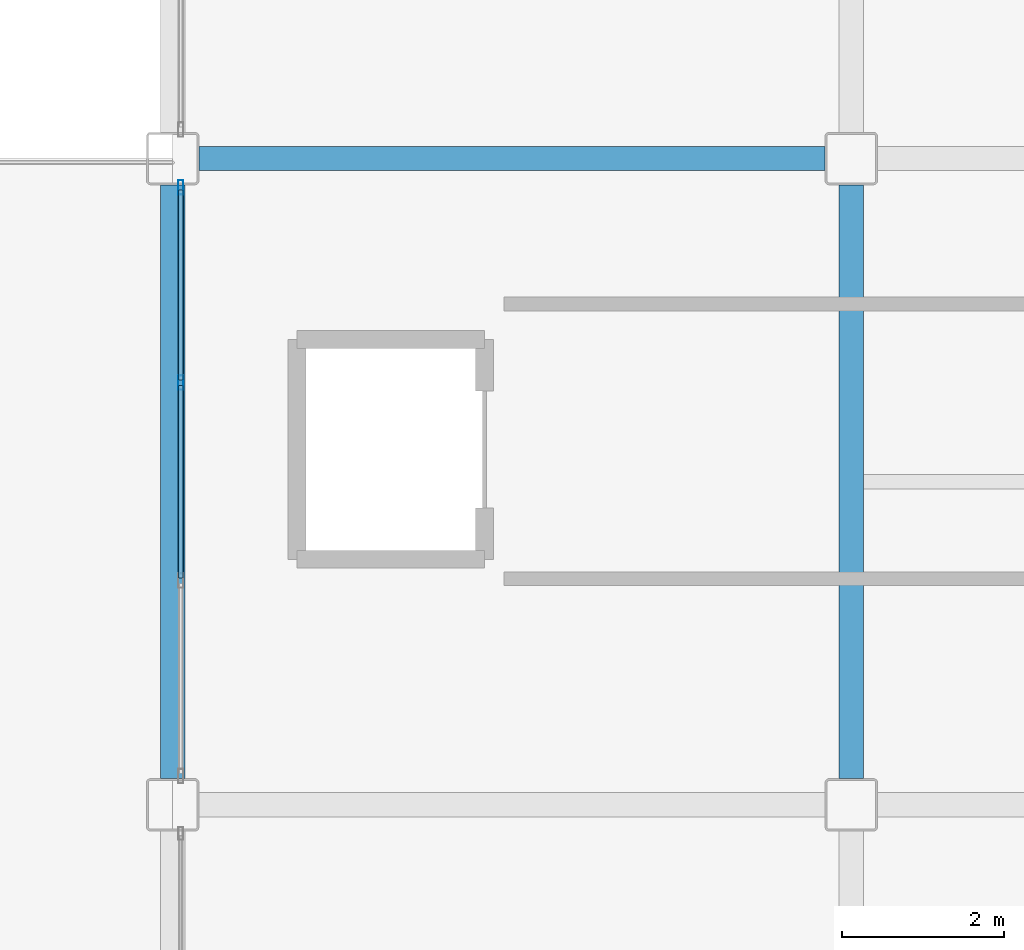
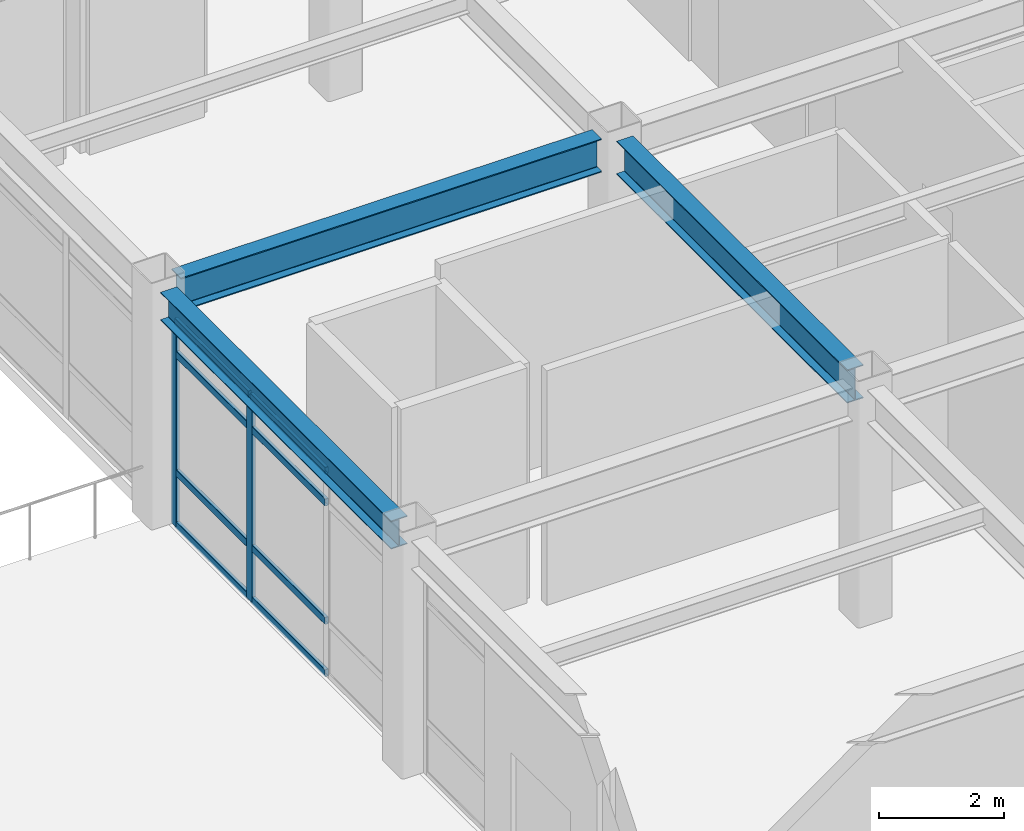
# One storey, part 18 of 61: 10 members, 3 beams, 1 element without a shape of its own.
"""IFC4 building model written with IfcOpenShell, lengths in metres."""

from ifc_helpers import new_model, si_unit, direction, frame, origin, origin_2d, place, context, subcontext, project, spatial, hollow_rectangle, i_section, extrude, material, layer, layer_set, material_profile, profile_set, type_object, element, aggregate, save


model = new_model("IFC4")

# Units and contexts
model_context = context("Model", 3, precision=1e-05, world=origin(), true_north=direction((0.0, 1.0)))
body_context = subcontext(model_context, "Body", "Model", "MODEL_VIEW")
ifc_project = project(units=[si_unit("LENGTHUNIT", "METRE"), si_unit("AREAUNIT", "SQUARE_METRE"), si_unit("VOLUMEUNIT", "CUBIC_METRE"), si_unit("PLANEANGLEUNIT", "RADIAN"), si_unit("MASSUNIT", "GRAM", prefix="KILO")], contexts=[model_context])

# Site, building, storey
site_placement = place(None, origin())
site = spatial("IfcSite", under=ifc_project, at=site_placement, CompositionType="ELEMENT")
building_placement = place(site_placement, origin())
building = spatial("IfcBuilding", under=site, at=building_placement, Name="Kazehara Bluff Congress Hotel", CompositionType="ELEMENT")
storey_placement = place(building_placement, frame((0.0, 0.0, 19.800048828125)))
storey = spatial("IfcBuildingStorey", under=building, at=storey_placement, Name="L04", CompositionType="ELEMENT", Elevation=19.800048828125)

# Curtain wall, members
ifc_material_1 = material(Name="Anodised aluminium", Category="aluminium")
ifc_layer = layer(ifc_material_1, 0.159912109375)
ifc_layer_set = layer_set([ifc_layer], Name="Anodised aluminium")
curtain_wall_type = type_object("IfcCurtainWallType", Name="TP-CW-166", PredefinedType="NOTDEFINED", material=ifc_layer_set)
curtain_wall_placement = place(storey_placement, origin())
curtain_wall = element("IfcCurtainWall", 1, at=curtain_wall_placement, inside=storey, type_object=curtain_wall_type, Name="L04 curtain wall CW-166 CW-ENC-V5-L04-14380-2800", PredefinedType="NOTDEFINED")
ifc_material_2 = material(Name="Anodised aluminium", Category="aluminium")
ifc_material_profile_1 = material_profile(ifc_material_2, hollow_rectangle(XDim=0.06494140625, YDim=0.179931640625, WallThickness=0.00390625, InnerFilletRadius=0.00390625, OuterFilletRadius=0.008056640625, at=origin_2d()))
ifc_profile_set_1 = profile_set([ifc_material_profile_1], Name="Anodised aluminium")
member_type_1 = type_object("IfcMemberType", Name="TP-CWM-02", PredefinedType="MULLION", material=ifc_profile_set_1)
member_1_placement = place(storey_placement, frame((143.800048828125, 29.22509765625, 0.0), z_axis=(0.0, 0.0, 1.0), x_axis=(-1.0, 0.0, 0.0)))
member_1 = element("IfcMember", 2, at=member_1_placement, type_object=member_type_1, Name="CW-166 mullion 3", PredefinedType="MULLION", context=body_context, shape_type="SweptSolid", body=[
    extrude(hollow_rectangle(XDim=0.06494140625, YDim=0.179931640625, WallThickness=0.00390625, InnerFilletRadius=0.00390625, OuterFilletRadius=0.008056640625, at=origin_2d()), origin(), (0.0, 0.0, 1.0), 4.0048828125),
])
member_2_placement = place(storey_placement, frame((143.800048828125, 31.642578125, 0.0), z_axis=(0.0, 0.0, 1.0), x_axis=(-1.0, 0.0, 0.0)))
member_2 = element("IfcMember", 3, at=member_2_placement, type_object=member_type_1, Name="CW-166 mullion 4", PredefinedType="MULLION", context=body_context, shape_type="SweptSolid", body=[
    extrude(hollow_rectangle(XDim=0.06494140625, YDim=0.179931640625, WallThickness=0.00390625, InnerFilletRadius=0.00390625, OuterFilletRadius=0.008056640625, at=origin_2d()), origin(), (0.0, 0.0, 1.0), 4.0048828125),
])
ifc_material_3 = material(Name="Anodised aluminium", Category="aluminium")
ifc_material_profile_2 = material_profile(ifc_material_3, hollow_rectangle(XDim=0.06494140625, YDim=0.139892578125, WallThickness=0.00390625, InnerFilletRadius=0.00390625, OuterFilletRadius=0.008056640625, at=origin_2d()))
ifc_profile_set_2 = profile_set([ifc_material_profile_2], Name="Anodised aluminium")
member_type_2 = type_object("IfcMemberType", Name="TP-CWT-02", PredefinedType="USERDEFINED", material=ifc_profile_set_2)
member_3_placement = place(storey_placement, frame((143.800048828125, 26.8076171875, 0.032470703125), z_axis=(0.0, 1.0, 0.0), x_axis=(-1.0, 0.0, 0.0)))
member_3 = element("IfcMember", 4, at=member_3_placement, type_object=member_type_2, Name="CW-166 transom 2.1", ObjectType="TRANSOM", PredefinedType="USERDEFINED", context=body_context, shape_type="SweptSolid", body=[
    extrude(hollow_rectangle(XDim=0.06494140625, YDim=0.139892578125, WallThickness=0.00390625, InnerFilletRadius=0.00390625, OuterFilletRadius=0.008056640625, at=origin_2d()), origin(), (0.0, 0.0, 1.0), 2.384765625),
])
member_4_placement = place(storey_placement, frame((143.800048828125, 26.8076171875, 1.050048828125), z_axis=(0.0, 1.0, 0.0), x_axis=(-1.0, 0.0, 0.0)))
member_4 = element("IfcMember", 5, at=member_4_placement, type_object=member_type_2, Name="CW-166 transom 2.2", ObjectType="TRANSOM", PredefinedType="USERDEFINED", context=body_context, shape_type="SweptSolid", body=[
    extrude(hollow_rectangle(XDim=0.06494140625, YDim=0.139892578125, WallThickness=0.00390625, InnerFilletRadius=0.00390625, OuterFilletRadius=0.008056640625, at=origin_2d()), origin(), (0.0, 0.0, 1.0), 2.384765625),
])
member_5_placement = place(storey_placement, frame((143.800048828125, 26.8076171875, 3.35498046875), z_axis=(0.0, 1.0, 0.0), x_axis=(-1.0, 0.0, 0.0)))
member_5 = element("IfcMember", 6, at=member_5_placement, type_object=member_type_2, Name="CW-166 transom 2.3", ObjectType="TRANSOM", PredefinedType="USERDEFINED", context=body_context, shape_type="SweptSolid", body=[
    extrude(hollow_rectangle(XDim=0.06494140625, YDim=0.139892578125, WallThickness=0.00390625, InnerFilletRadius=0.00390625, OuterFilletRadius=0.008056640625, at=origin_2d()), origin(), (0.0, 0.0, 1.0), 2.384765625),
])
member_6_placement = place(storey_placement, frame((143.800048828125, 26.8076171875, 3.972412109375), z_axis=(0.0, 1.0, 0.0), x_axis=(-1.0, 0.0, 0.0)))
member_6 = element("IfcMember", 7, at=member_6_placement, type_object=member_type_2, Name="CW-166 transom 2.4", ObjectType="TRANSOM", PredefinedType="USERDEFINED", context=body_context, shape_type="SweptSolid", body=[
    extrude(hollow_rectangle(XDim=0.06494140625, YDim=0.139892578125, WallThickness=0.00390625, InnerFilletRadius=0.00390625, OuterFilletRadius=0.008056640625, at=origin_2d()), origin(), (0.0, 0.0, 1.0), 2.384765625),
])
member_7_placement = place(storey_placement, frame((143.800048828125, 29.257568359375, 0.032470703125), z_axis=(0.0, 1.0, 0.0), x_axis=(-1.0, 0.0, 0.0)))
member_7 = element("IfcMember", 8, at=member_7_placement, type_object=member_type_2, Name="CW-166 transom 3.1", ObjectType="TRANSOM", PredefinedType="USERDEFINED", context=body_context, shape_type="SweptSolid", body=[
    extrude(hollow_rectangle(XDim=0.06494140625, YDim=0.139892578125, WallThickness=0.00390625, InnerFilletRadius=0.00390625, OuterFilletRadius=0.008056640625, at=origin_2d()), origin(), (0.0, 0.0, 1.0), 2.3525390625),
])
member_8_placement = place(storey_placement, frame((143.800048828125, 29.257568359375, 1.050048828125), z_axis=(0.0, 1.0, 0.0), x_axis=(-1.0, 0.0, 0.0)))
member_8 = element("IfcMember", 9, at=member_8_placement, type_object=member_type_2, Name="CW-166 transom 3.2", ObjectType="TRANSOM", PredefinedType="USERDEFINED", context=body_context, shape_type="SweptSolid", body=[
    extrude(hollow_rectangle(XDim=0.06494140625, YDim=0.139892578125, WallThickness=0.00390625, InnerFilletRadius=0.00390625, OuterFilletRadius=0.008056640625, at=origin_2d()), origin(), (0.0, 0.0, 1.0), 2.3525390625),
])
member_9_placement = place(storey_placement, frame((143.800048828125, 29.257568359375, 3.35498046875), z_axis=(0.0, 1.0, 0.0), x_axis=(-1.0, 0.0, 0.0)))
member_9 = element("IfcMember", 10, at=member_9_placement, type_object=member_type_2, Name="CW-166 transom 3.3", ObjectType="TRANSOM", PredefinedType="USERDEFINED", context=body_context, shape_type="SweptSolid", body=[
    extrude(hollow_rectangle(XDim=0.06494140625, YDim=0.139892578125, WallThickness=0.00390625, InnerFilletRadius=0.00390625, OuterFilletRadius=0.008056640625, at=origin_2d()), origin(), (0.0, 0.0, 1.0), 2.3525390625),
])
member_10_placement = place(storey_placement, frame((143.800048828125, 29.257568359375, 3.972412109375), z_axis=(0.0, 1.0, 0.0), x_axis=(-1.0, 0.0, 0.0)))
member_10 = element("IfcMember", 11, at=member_10_placement, type_object=member_type_2, Name="CW-166 transom 3.4", ObjectType="TRANSOM", PredefinedType="USERDEFINED", context=body_context, shape_type="SweptSolid", body=[
    extrude(hollow_rectangle(XDim=0.06494140625, YDim=0.139892578125, WallThickness=0.00390625, InnerFilletRadius=0.00390625, OuterFilletRadius=0.008056640625, at=origin_2d()), origin(), (0.0, 0.0, 1.0), 2.3525390625),
])
aggregate(curtain_wall, [member_1, member_2, member_3, member_4, member_5, member_6, member_7, member_8, member_9, member_10])

# Beams
ifc_material_4 = material(Name="Steel SN490B", Category="steel")
ifc_material_profile_3 = material_profile(ifc_material_4, i_section(OverallWidth=0.300048828125, OverallDepth=0.64990234375, WebThickness=0.011962890625, FlangeThickness=0.02001953125, FilletRadius=0.012939453125, at=origin_2d()))
ifc_profile_set_3 = profile_set([ifc_material_profile_3], Name="Steel SN490B")
beam_type_1 = type_object("IfcBeamType", Name="TP-G-03", PredefinedType="BEAM", material=ifc_profile_set_3)
beam_1_placement = place(storey_placement, frame((152.10009765625, 24.324951171875, 4.2548828125), z_axis=(0.0, 1.0, 0.0), x_axis=(-1.0, 0.0, 0.0)))
element("IfcBeam", 12, at=beam_1_placement, inside=storey, type_object=beam_type_1, Name="L04 girder G-03 47", PredefinedType="BEAM", context=body_context, shape_type="SweptSolid", body=[
    extrude(i_section(OverallWidth=0.300048828125, OverallDepth=0.64990234375, WebThickness=0.011962890625, FlangeThickness=0.02001953125, FilletRadius=0.012939453125, at=origin_2d()), origin(), (0.0, 0.0, 1.0), 7.35009765625),
])
beam_2_placement = place(storey_placement, frame((144.02490234375, 32.0, 4.2548828125), z_axis=(1.0, 0.0, 0.0), x_axis=(0.0, 1.0, 0.0)))
element("IfcBeam", 13, at=beam_2_placement, inside=storey, type_object=beam_type_1, Name="L04 girder G-03 90", PredefinedType="BEAM", context=body_context, shape_type="SweptSolid", body=[
    extrude(i_section(OverallWidth=0.300048828125, OverallDepth=0.64990234375, WebThickness=0.011962890625, FlangeThickness=0.02001953125, FilletRadius=0.012939453125, at=origin_2d()), origin(), (0.0, 0.0, 1.0), 7.75),
])
ifc_material_5 = material(Name="Steel SN490B", Category="steel")
ifc_material_profile_4 = material_profile(ifc_material_5, i_section(OverallWidth=0.300048828125, OverallDepth=0.550048828125, WebThickness=0.010986328125, FlangeThickness=0.01806640625, FilletRadius=0.012939453125, at=origin_2d()))
ifc_profile_set_4 = profile_set([ifc_material_profile_4], Name="Steel SN490B")
beam_type_2 = type_object("IfcBeamType", Name="TP-SP-01", PredefinedType="SPANDREL", material=ifc_profile_set_4)
beam_3_placement = place(storey_placement, frame((143.699951171875, 24.324951171875, 4.304931640625), z_axis=(0.0, 1.0, 0.0), x_axis=(-1.0, 0.0, 0.0)))
element("IfcBeam", 14, at=beam_3_placement, inside=storey, type_object=beam_type_2, Name="L04 girder SP-01 34", PredefinedType="SPANDREL", context=body_context, shape_type="SweptSolid", body=[
    extrude(i_section(OverallWidth=0.300048828125, OverallDepth=0.550048828125, WebThickness=0.010986328125, FlangeThickness=0.01806640625, FilletRadius=0.012939453125, at=origin_2d()), origin(), (0.0, 0.0, 1.0), 7.35009765625),
])

save(model, "model.ifc")
